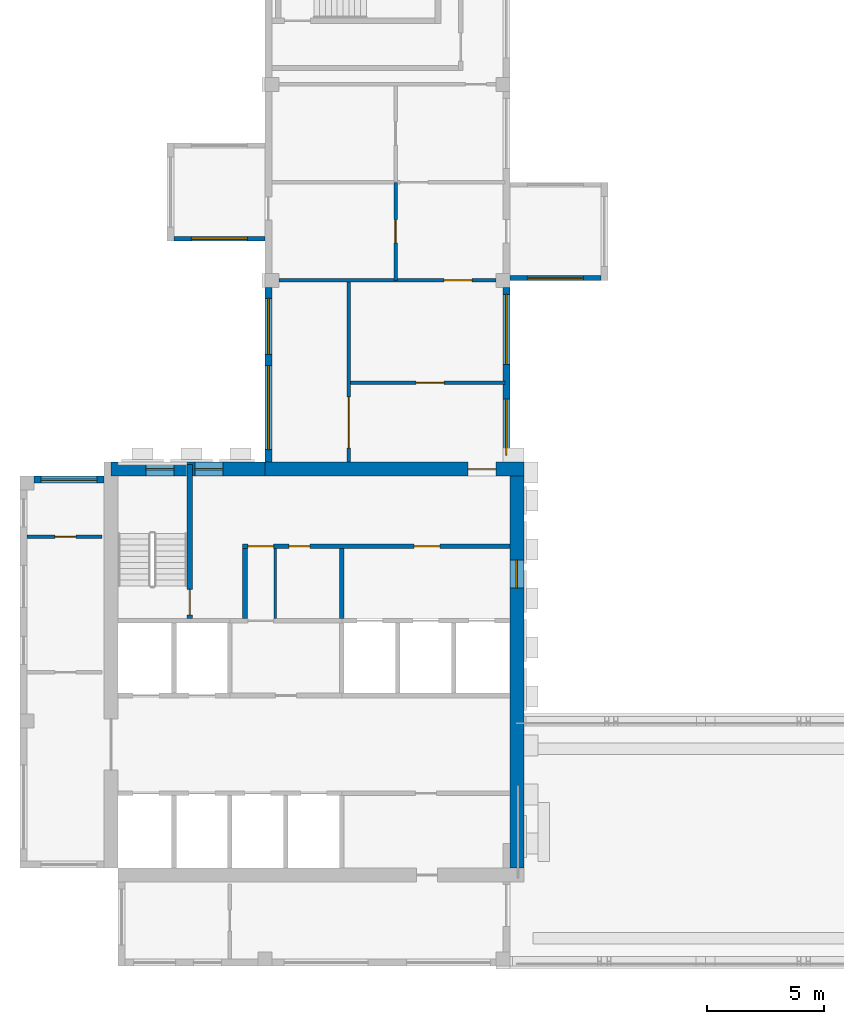
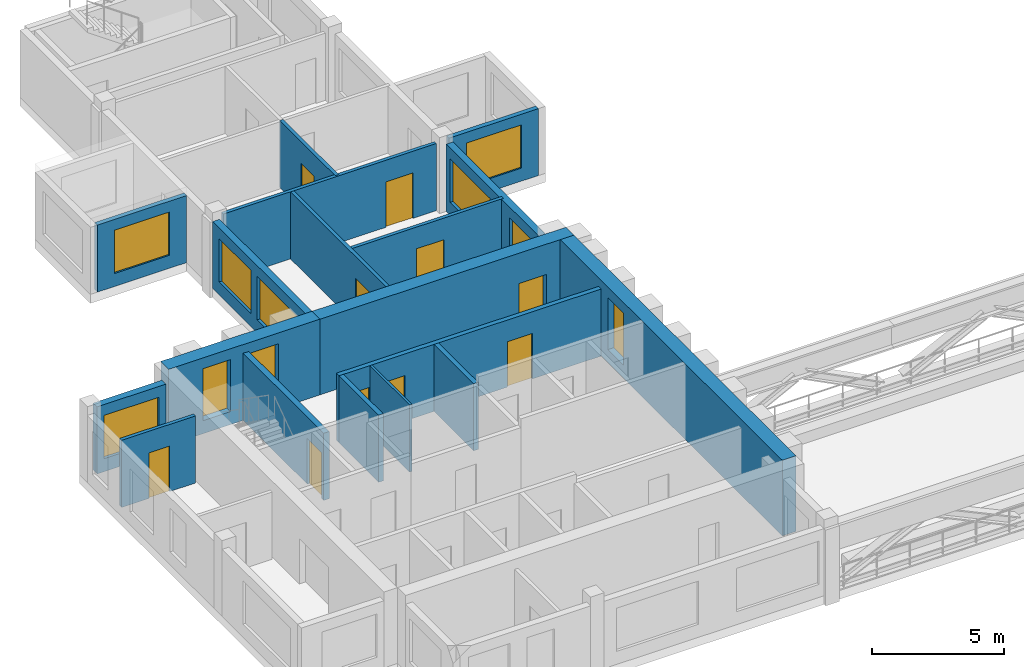
# One storey, part 3 of 9: 18 walls, 10 doors, 10 windows, 20 openings.
"""IFC4 building model written with IfcOpenShell, lengths in metres."""

import ifcopenshell
import ifcopenshell.guid

model = None  # the IFC model being written
_history = None  # IfcOwnerHistory: only IFC2X3 demands one
_inside = {}  # id of a spatial element -> (the spatial element, [elements in it])
_under = {}  # id of a project, library or spatial element -> (it, [spatial elements below it])
_declared = {}  # id of a project -> (the project, [libraries it declares])
_typed = {}  # id of a type object -> (the type object, [elements of that type])
_made_of = {}  # id of a material, layer set ... -> (it, [elements and type objects made of it])


def new_model(schema):
    """Start an empty IFC model of exactly this schema.

    Asked for "IFC4X3", IfcOpenShell would pick the latest addendum, in which some entities
    have other attributes; the version numbers below select the first issue.
    IFC2X3 requires an IfcOwnerHistory on every rooted entity: one is made here for all.
    """
    global model, _history
    if schema == "IFC4X3":
        model = ifcopenshell.file(schema_version=(4, 3, 0, 0))
    else:
        model = ifcopenshell.file(schema=schema)
    _inside.clear()
    _under.clear()
    _declared.clear()
    _typed.clear()
    _made_of.clear()
    _history = None
    if model.schema == "IFC2X3":
        org = make("IfcOrganization", Name="unknown")
        user = make(
            "IfcPersonAndOrganization",
            ThePerson=make("IfcPerson", FamilyName="unknown"),
            TheOrganization=org,
        )
        app = make(
            "IfcApplication",
            ApplicationDeveloper=org,
            Version="unknown",
            ApplicationFullName="unknown",
            ApplicationIdentifier="unknown",
        )
        _history = make(
            "IfcOwnerHistory",
            OwningUser=user,
            OwningApplication=app,
            ChangeAction="ADDED",
            CreationDate=0,
        )
    return model


def make(cls, **values):
    """One entity of the class cls with the attributes given. An attribute that is None is left unset."""
    return model.create_entity(
        cls, **{name: value for name, value in values.items() if value is not None}
    )


def rooted(cls, **values):
    """An entity with a GlobalId (a new one), such as an element, a storey or a relation."""
    return make(cls, GlobalId=ifcopenshell.guid.new(), OwnerHistory=_history, **values)


def si_unit(unit_type, name, prefix=None):
    """IfcSIUnit, for example si_unit("LENGTHUNIT", "METRE", prefix="MILLI")."""
    return make("IfcSIUnit", UnitType=unit_type, Prefix=prefix, Name=name)


def assignment(units):
    """IfcUnitAssignment: the units of a project."""
    return None if units is None else make("IfcUnitAssignment", Units=units)


def point(xyz):
    """IfcCartesianPoint."""
    return None if xyz is None else make("IfcCartesianPoint", Coordinates=xyz)


def direction(xyz):
    """IfcDirection."""
    return None if xyz is None else make("IfcDirection", DirectionRatios=xyz)


def frame(location, z_axis=None, x_axis=None):
    """IfcAxis2Placement3D, a coordinate frame: its origin and axes. An axis left out is left unset."""
    return make(
        "IfcAxis2Placement3D",
        Location=point(location),
        Axis=direction(z_axis),
        RefDirection=direction(x_axis),
    )


def frame_2d(location, x_axis=None):
    """IfcAxis2Placement2D, a coordinate frame in the plane: its origin and x axis."""
    return make(
        "IfcAxis2Placement2D", Location=point(location), RefDirection=direction(x_axis)
    )


def origin():
    """The frame at (0, 0, 0) with its axes left unset."""
    return frame((0.0, 0.0, 0.0))


def place(relative_to, where):
    """IfcLocalPlacement: puts the frame where relative to a parent placement (None: the world)."""
    return make(
        "IfcLocalPlacement", PlacementRelTo=relative_to, RelativePlacement=where
    )


def context(
    kind, dimensions, precision=None, world=None, true_north=None, identifier=None
):
    """IfcGeometricRepresentationContext, for example the 3D "Model" context."""
    return make(
        "IfcGeometricRepresentationContext",
        ContextIdentifier=identifier,
        ContextType=kind,
        CoordinateSpaceDimension=dimensions,
        Precision=precision,
        WorldCoordinateSystem=world,
        TrueNorth=true_north,
    )


def subcontext(parent, identifier, kind, view, scale=None):
    """IfcGeometricRepresentationSubContext, for example "Body" below "Model"."""
    return make(
        "IfcGeometricRepresentationSubContext",
        ContextIdentifier=identifier,
        ContextType=kind,
        ParentContext=parent,
        TargetScale=scale,
        TargetView=view,
    )


def project(units=None, contexts=None):
    """IfcProject with its units and contexts."""
    return rooted(
        "IfcProject",
        Name="project",
        RepresentationContexts=contexts,
        UnitsInContext=assignment(units),
    )


def spatial(cls, under=None, at=None, **own):
    """A site, building, storey or space (cls), placed at a placement, below another one or the project."""
    s = rooted(cls, ObjectPlacement=at, **own)
    if under is not None:
        _under.setdefault(under.id(), (under, []))[1].append(s)
    return s


def profile(cls, at=None, kind="AREA", **sizes):
    """A parametric profile (cls). Its sizes go by their IFC names, for example OverallWidth=200.0."""
    return make(cls, ProfileType=kind, Position=at, **sizes)


def rectangle(**sizes):
    """IfcRectangleProfileDef."""
    return profile("IfcRectangleProfileDef", **sizes)


def extrude(swept, where, along, depth):
    """IfcExtrudedAreaSolid: the profile swept, set in the frame where, extruded along a direction by depth."""
    return make(
        "IfcExtrudedAreaSolid",
        SweptArea=swept,
        Position=where,
        ExtrudedDirection=direction(along),
        Depth=depth,
    )


def shape(context_of_items, identifier, shape_type, items):
    """IfcShapeRepresentation: the items that make up one representation, for example the "Body"."""
    return make(
        "IfcShapeRepresentation",
        ContextOfItems=context_of_items,
        RepresentationIdentifier=identifier,
        RepresentationType=shape_type,
        Items=items,
    )


def source(mapping_origin, context_of_items, identifier, shape_type, items):
    """IfcRepresentationMap: a shape defined once, which mapped items show again and again."""
    return make(
        "IfcRepresentationMap",
        MappingOrigin=mapping_origin,
        MappedRepresentation=shape(context_of_items, identifier, shape_type, items),
    )


def transform(
    local_origin,
    x_axis=None,
    y_axis=None,
    z_axis=None,
    scale=None,
    scale2=None,
    scale3=None,
    uniform=True,
):
    """IfcCartesianTransformationOperator3D, or its non-uniform kind. x_axis, y_axis, z_axis: its Axis1, 2, 3."""
    if uniform:
        return make(
            "IfcCartesianTransformationOperator3D",
            Axis1=direction(x_axis),
            Axis2=direction(y_axis),
            LocalOrigin=point(local_origin),
            Scale=scale,
            Axis3=direction(z_axis),
        )
    return make(
        "IfcCartesianTransformationOperator3DnonUniform",
        Axis1=direction(x_axis),
        Axis2=direction(y_axis),
        LocalOrigin=point(local_origin),
        Scale=scale,
        Axis3=direction(z_axis),
        Scale2=scale2,
        Scale3=scale3,
    )


def mapped(mapping_source, mapping_target):
    """IfcMappedItem: shows the shape of a source again, moved by a transform."""
    return make(
        "IfcMappedItem", MappingSource=mapping_source, MappingTarget=mapping_target
    )


def material(Name=None, Category=None):
    """IfcMaterial."""
    return make("IfcMaterial", Name=Name, Category=Category)


def layer(
    of_material, thickness, ventilated=None, Name=None, Category=None, Priority=None
):
    """IfcMaterialLayer: one layer of a wall or slab, of a material (None: an air gap)."""
    return make(
        "IfcMaterialLayer",
        Material=of_material,
        LayerThickness=thickness,
        IsVentilated=ventilated,
        Name=Name,
        Category=Category,
        Priority=Priority,
    )


def layer_set(layers, Name=None):
    """IfcMaterialLayerSet."""
    return make("IfcMaterialLayerSet", MaterialLayers=layers, LayerSetName=Name)


def made_of(thing, what):
    """Note that an element or type object is made of a material, layer set ...; save() writes the relation."""
    if what is not None:
        _made_of.setdefault(what.id(), (what, []))[1].append(thing)
    return thing


def type_object(cls, material=None, **own):
    """A type object (cls), such as IfcWallType, which elements share."""
    return made_of(rooted(cls, **own), material)


def element(
    cls,
    number,
    at=None,
    inside=None,
    cuts=None,
    type_object=None,
    material=None,
    context=None,
    identifier="Body",
    shape_type=None,
    held_by="IfcProductDefinitionShape",
    body=None,
    shapes=None,
    **own,
):
    """One element of the class cls, such as IfcWall. Its Tag is "e" and its number.

    at: its placement. inside: the storey or other place that contains it. cuts: it is an
    opening in that element (IfcRelVoidsElement). A single representation is given by context,
    identifier, shape_type and body (its items); several are given by shapes. held_by: the class
    of the entity that holds the representations. save() writes the other relations.
    """
    e = rooted(cls, Tag="e%d" % number, ObjectPlacement=at, **own)
    if body is not None:
        shapes = [shape(context, identifier, shape_type, body)]
    if shapes is not None:
        e.Representation = make(held_by, Representations=shapes)
    if inside is not None:
        _inside.setdefault(inside.id(), (inside, []))[1].append(e)
    if cuts is not None:
        rooted(
            "IfcRelVoidsElement", RelatingBuildingElement=cuts, RelatedOpeningElement=e
        )
    if type_object is not None:
        _typed.setdefault(type_object.id(), (type_object, []))[1].append(e)
    return made_of(e, material)


def fill(opening, filler):
    """IfcRelFillsElement: the door or window that sits in an opening."""
    return rooted(
        "IfcRelFillsElement",
        RelatingOpeningElement=opening,
        RelatedBuildingElement=filler,
    )


def aggregate(whole, parts):
    """IfcRelAggregates: a whole, such as a stair, and the parts it consists of."""
    return rooted("IfcRelAggregates", RelatingObject=whole, RelatedObjects=parts)


def save(model, path):
    """Write the relations noted so far, then the file.

    IfcRelAggregates (storeys below a building ...), IfcRelContainedInSpatialStructure (elements
    in a storey), IfcRelDefinesByType, IfcRelAssociatesMaterial and IfcRelDeclares: one each for
    every whole, place, type object, material and project.
    """
    for whole, parts in _under.values():
        aggregate(whole, parts)
    for where, things in _inside.values():
        rooted(
            "IfcRelContainedInSpatialStructure",
            RelatedElements=things,
            RelatingStructure=where,
        )
    for kind, things in _typed.values():
        rooted("IfcRelDefinesByType", RelatedObjects=things, RelatingType=kind)
    for what, things in _made_of.values():
        rooted("IfcRelAssociatesMaterial", RelatedObjects=things, RelatingMaterial=what)
    for by, libraries in _declared.values():
        rooted("IfcRelDeclares", RelatingContext=by, RelatedDefinitions=libraries)
    model.write(path)


model = new_model("IFC4")

# Units and contexts
model_context = context("Model", 3, precision=1e-05, world=origin(), true_north=direction((0.0, 1.0)))
body_context = subcontext(model_context, "Body", "Model", "MODEL_VIEW")
ifc_project = project(units=[si_unit("LENGTHUNIT", "METRE"), si_unit("AREAUNIT", "SQUARE_METRE"), si_unit("VOLUMEUNIT", "CUBIC_METRE"), si_unit("PLANEANGLEUNIT", "RADIAN"), si_unit("MASSUNIT", "GRAM", prefix="KILO")], contexts=[model_context])

# Site, building, storey
site_placement = place(None, origin())
site = spatial("IfcSite", under=ifc_project, at=site_placement, CompositionType="ELEMENT")
building_placement = place(site_placement, origin())
building = spatial("IfcBuilding", under=site, at=building_placement, Name="Aurelian Terraces", CompositionType="ELEMENT")
storey_placement = place(building_placement, frame((0.0, 0.0, 351.0)))
storey = spatial("IfcBuildingStorey", under=building, at=storey_placement, Name="L83", CompositionType="ELEMENT", Elevation=351.0)

# Wall, opening, door
ifc_material_1 = material(Name="Concrete fc' 55 MPa", Category="concrete")
ifc_layer_1 = layer(ifc_material_1, 0.6)
ifc_layer_set_1 = layer_set([ifc_layer_1], Name="CORE WALL 600 FC55")
wall_type_1 = type_object("IfcWallType", Name="CORE WALL 600 FC55", PredefinedType="SHEAR", material=ifc_layer_set_1)
shared_shape_1 = source(origin(), body_context, "Body", "SweptSolid", [
    extrude(rectangle(XDim=11.1, YDim=0.6, at=frame_2d((5.55, 0.0))), origin(), (0.0, 0.0, 1.0), 3.5),
])
wall_1_placement = place(storey_placement, frame((10.5, 21.3, 0.0), z_axis=(0.0, 0.0, 1.0), x_axis=(1.0, 0.0, 0.0)))
wall_1 = element("IfcWall", 1, at=wall_1_placement, inside=storey, type_object=wall_type_1, Name="Core wall N L83", PredefinedType="SHEAR", context=body_context, shape_type="MappedRepresentation", body=[
    mapped(shared_shape_1, transform((0.0, 0.0, 0.0), scale=1.0)),
])
shared_shape_2 = source(origin(), body_context, "Body", "SweptSolid", [
    extrude(rectangle(XDim=1.2, YDim=2.1, at=frame_2d((0.6, 1.05))), frame((0.0, 0.31, 0.0), z_axis=(0.0, -1.0, 0.0), x_axis=(1.0, 0.0, 0.0)), (0.0, 0.0, 1.0), 0.62),
])
opening_1_placement = place(wall_1_placement, frame((8.7, 0.0, 0.0)))
opening_1 = element("IfcOpeningElement", 2, at=opening_1_placement, cuts=wall_1, Name="Opening 68621", PredefinedType="OPENING", context=body_context, shape_type="MappedRepresentation", body=[
    mapped(shared_shape_2, transform((0.0, 0.0, 0.0), scale=1.0)),
])
ifc_material_2 = material(Name="Steel door leaf", Category="steel")
door_type_1 = type_object("IfcDoorType", Name="Core fire door 1200x2100 right", OperationType="SINGLE_SWING_RIGHT", PredefinedType="DOOR", material=ifc_material_2)
shared_shape_3 = source(origin(), body_context, "Body", "SweptSolid", [
    extrude(rectangle(XDim=1.2, YDim=2.1, at=frame_2d((0.6, 1.05))), frame((0.0, 0.025, 0.0), z_axis=(0.0, -1.0, 0.0), x_axis=(1.0, 0.0, 0.0)), (0.0, 0.0, 1.0), 0.05),
])
door_1_placement = place(opening_1_placement, origin())
door_1 = element("IfcDoor", 3, at=door_1_placement, inside=storey, type_object=door_type_1, Name="Core door 68621", OperationType="SINGLE_SWING_RIGHT", OverallHeight=2.1, OverallWidth=1.2, PredefinedType="DOOR", context=body_context, shape_type="MappedRepresentation", body=[
    mapped(shared_shape_3, transform((0.0, 0.0, 0.0), scale=1.0)),
])
fill(opening_1, door_1)

# Wall, openings, windows
shared_shape_4 = source(origin(), body_context, "Body", "SweptSolid", [
    extrude(rectangle(XDim=6.6, YDim=0.6, at=frame_2d((3.3, 0.0))), origin(), (0.0, 0.0, 1.0), 3.5),
])
wall_2_placement = place(storey_placement, frame((3.9, 21.3, 0.0), z_axis=(0.0, 0.0, 1.0), x_axis=(1.0, 0.0, 0.0)))
wall_2 = element("IfcWall", 4, at=wall_2_placement, inside=storey, type_object=wall_type_1, Name="Core wall N L83 exposed", PredefinedType="SHEAR", context=body_context, shape_type="MappedRepresentation", body=[
    mapped(shared_shape_4, transform((0.0, 0.0, 0.0), scale=1.0)),
])
shared_shape_5 = source(origin(), body_context, "Body", "SweptSolid", [
    extrude(rectangle(XDim=1.2, YDim=2.4, at=frame_2d((0.6, 1.2))), frame((0.0, 0.31, 0.0), z_axis=(0.0, -1.0, 0.0), x_axis=(1.0, 0.0, 0.0)), (0.0, 0.0, 1.0), 0.62),
])
opening_2_placement = place(wall_2_placement, frame((1.5, 0.0, 0.6)))
opening_2 = element("IfcOpeningElement", 5, at=opening_2_placement, cuts=wall_2, Name="Opening W-CL", PredefinedType="OPENING", context=body_context, shape_type="MappedRepresentation", body=[
    mapped(shared_shape_5, transform((0.0, 0.0, 0.0), scale=1.0)),
])
opening_3_placement = place(wall_2_placement, frame((3.6, 0.0, 0.6)))
opening_3 = element("IfcOpeningElement", 6, at=opening_3_placement, cuts=wall_2, Name="Opening W-CL", PredefinedType="OPENING", context=body_context, shape_type="MappedRepresentation", body=[
    mapped(shared_shape_5, transform((0.0, 0.0, 0.0), scale=1.0)),
])
ifc_material_3 = material(Name="Fire-resisting glazing", Category="glass")
window_type_1 = type_object("IfcWindowType", Name="Core lobby window 1200x2400", PartitioningType="SINGLE_PANEL", PredefinedType="WINDOW", material=ifc_material_3)
shared_shape_6 = source(origin(), body_context, "Body", "SweptSolid", [
    extrude(rectangle(XDim=1.2, YDim=2.4, at=frame_2d((0.6, 1.2))), frame((0.0, 0.03, 0.0), z_axis=(0.0, -1.0, 0.0), x_axis=(1.0, 0.0, 0.0)), (0.0, 0.0, 1.0), 0.06),
])
window_1_placement = place(opening_2_placement, origin())
window_1 = element("IfcWindow", 7, at=window_1_placement, inside=storey, type_object=window_type_1, Name="Lobby window L83 N59", OverallHeight=2.4, OverallWidth=1.2, PartitioningType="SINGLE_PANEL", PredefinedType="WINDOW", context=body_context, shape_type="MappedRepresentation", body=[
    mapped(shared_shape_6, transform((0.0, 0.0, 0.0), scale=1.0)),
])
fill(opening_2, window_1)
window_2_placement = place(opening_3_placement, origin())
window_2 = element("IfcWindow", 8, at=window_2_placement, inside=storey, type_object=window_type_1, Name="Lobby window L83 N60", OverallHeight=2.4, OverallWidth=1.2, PartitioningType="SINGLE_PANEL", PredefinedType="WINDOW", context=body_context, shape_type="MappedRepresentation", body=[
    mapped(shared_shape_6, transform((0.0, 0.0, 0.0), scale=1.0)),
])
fill(opening_3, window_2)

# Wall, opening, window
shared_shape_7 = source(origin(), body_context, "Body", "SweptSolid", [
    extrude(rectangle(XDim=16.8, YDim=0.6, at=frame_2d((8.4, 0.0))), origin(), (0.0, 0.0, 1.0), 3.5),
])
wall_3_placement = place(storey_placement, frame((21.3, 4.2, 0.0), z_axis=(0.0, 0.0, 1.0), x_axis=(0.0, 1.0, 0.0)))
wall_3 = element("IfcWall", 9, at=wall_3_placement, inside=storey, type_object=wall_type_1, Name="Core wall E L83 exposed", PredefinedType="SHEAR", context=body_context, shape_type="MappedRepresentation", body=[
    mapped(shared_shape_7, transform((0.0, 0.0, 0.0), scale=1.0)),
])
opening_4_placement = place(wall_3_placement, frame((12.0, 0.0, 0.6)))
opening_4 = element("IfcOpeningElement", 10, at=opening_4_placement, cuts=wall_3, Name="Opening W-CL", PredefinedType="OPENING", context=body_context, shape_type="MappedRepresentation", body=[
    mapped(shared_shape_5, transform((0.0, 0.0, 0.0), scale=1.0)),
])
window_3_placement = place(opening_4_placement, origin())
window_3 = element("IfcWindow", 11, at=window_3_placement, inside=storey, type_object=window_type_1, Name="Lobby window L83 E58", OverallHeight=2.4, OverallWidth=1.2, PartitioningType="SINGLE_PANEL", PredefinedType="WINDOW", context=body_context, shape_type="MappedRepresentation", body=[
    mapped(shared_shape_6, transform((0.0, 0.0, 0.0), scale=1.0)),
])
fill(opening_4, window_3)

ifc_material_4 = material(Name="Concrete fc' 40 MPa", Category="concrete")
ifc_layer_2 = layer(ifc_material_4, 0.2)
ifc_layer_set_2 = layer_set([ifc_layer_2], Name="BOX BEARING WALL 200")
wall_type_2 = type_object("IfcWallType", Name="BOX BEARING WALL 200", PredefinedType="SOLIDWALL", material=ifc_layer_set_2)
shared_shape_8 = source(origin(), body_context, "Body", "SweptSolid", [
    extrude(rectangle(XDim=3.9, YDim=0.2, at=frame_2d((1.95, 0.0))), origin(), (0.0, 0.0, 1.0), 3.09),
])
wall_4_placement = place(storey_placement, frame((21.0, 29.5, 0.0), z_axis=(0.0, 0.0, 1.0), x_axis=(1.0, 0.0, 0.0)))
wall_4 = element("IfcWall", 12, at=wall_4_placement, inside=storey, type_object=wall_type_2, Name="Box return L83 J96.1", PredefinedType="SOLIDWALL", context=body_context, shape_type="MappedRepresentation", body=[
    mapped(shared_shape_8, transform((0.0, 0.0, 0.0), scale=1.0)),
])
shared_shape_9 = source(origin(), body_context, "Body", "SweptSolid", [
    extrude(rectangle(XDim=2.4, YDim=2.0, at=frame_2d((1.2, 1.0))), frame((0.0, 0.11, 0.0), z_axis=(0.0, -1.0, 0.0), x_axis=(1.0, 0.0, 0.0)), (0.0, 0.0, 1.0), 0.22),
])
opening_5_placement = place(wall_4_placement, frame((0.75, 0.0, 0.6)))
opening_5 = element("IfcOpeningElement", 13, at=opening_5_placement, cuts=wall_4, Name="Opening W2420", PredefinedType="OPENING", context=body_context, shape_type="MappedRepresentation", body=[
    mapped(shared_shape_9, transform((0.0, 0.0, 0.0), scale=1.0)),
])
ifc_material_5 = material(Name="Clear glazing", Category="glass")
window_type_2 = type_object("IfcWindowType", Name="W-2400x2000", PartitioningType="SINGLE_PANEL", PredefinedType="WINDOW", material=ifc_material_5)
shared_shape_10 = source(origin(), body_context, "Body", "SweptSolid", [
    extrude(rectangle(XDim=2.4, YDim=2.0, at=frame_2d((1.2, 1.0))), frame((0.0, 0.03, 0.0), z_axis=(0.0, -1.0, 0.0), x_axis=(1.0, 0.0, 0.0)), (0.0, 0.0, 1.0), 0.06),
])
window_4_placement = place(opening_5_placement, origin())
window_4 = element("IfcWindow", 14, at=window_4_placement, inside=storey, type_object=window_type_2, Name="Window L83 J96-S1", OverallHeight=2.0, OverallWidth=2.4, PartitioningType="SINGLE_PANEL", PredefinedType="WINDOW", context=body_context, shape_type="MappedRepresentation", body=[
    mapped(shared_shape_10, transform((0.0, 0.0, 0.0), scale=1.0)),
])
fill(opening_5, window_4)

shared_shape_11 = source(origin(), body_context, "Body", "SweptSolid", [
    extrude(rectangle(XDim=3.9, YDim=0.2, at=frame_2d((1.95, 0.0))), origin(), (0.0, 0.0, 1.0), 3.1),
])
wall_5_placement = place(storey_placement, frame((10.5, 31.18, 0.0), z_axis=(0.0, 0.0, 1.0), x_axis=(-1.0, 0.0, 0.0)))
wall_5 = element("IfcWall", 15, at=wall_5_placement, inside=storey, type_object=wall_type_2, Name="Box return L83 J95.2", PredefinedType="SOLIDWALL", context=body_context, shape_type="MappedRepresentation", body=[
    mapped(shared_shape_11, transform((0.0, 0.0, 0.0), scale=1.0)),
])
opening_6_placement = place(wall_5_placement, frame((0.75, 0.0, 0.6)))
opening_6 = element("IfcOpeningElement", 16, at=opening_6_placement, cuts=wall_5, Name="Opening W2420", PredefinedType="OPENING", context=body_context, shape_type="MappedRepresentation", body=[
    mapped(shared_shape_9, transform((0.0, 0.0, 0.0), scale=1.0)),
])
window_5_placement = place(opening_6_placement, origin())
window_5 = element("IfcWindow", 17, at=window_5_placement, inside=storey, type_object=window_type_2, Name="Window L83 J95-S2", OverallHeight=2.0, OverallWidth=2.4, PartitioningType="SINGLE_PANEL", PredefinedType="WINDOW", context=body_context, shape_type="MappedRepresentation", body=[
    mapped(shared_shape_10, transform((0.0, 0.0, 0.0), scale=1.0)),
])
fill(opening_6, window_5)

# Wall, openings, windows
ifc_material_6 = material(Name="Terracotta rainscreen cladding", Category="masonry")
ifc_layer_3 = layer(ifc_material_6, 0.3)
ifc_layer_set_3 = layer_set([ifc_layer_3], Name="EW-300")
wall_type_3 = type_object("IfcWallType", Name="EW-300", PredefinedType="STANDARD", material=ifc_layer_set_3)
shared_shape_12 = source(origin(), body_context, "Body", "SweptSolid", [
    extrude(rectangle(XDim=7.5, YDim=0.3, at=frame_2d((3.75, 0.0))), origin(), (0.0, 0.0, 1.0), 3.1),
])
wall_6_placement = place(storey_placement, frame((20.85, 21.6, 0.0), z_axis=(0.0, 0.0, 1.0), x_axis=(0.0, 1.0, 0.0)))
wall_6 = element("IfcWall", 18, at=wall_6_placement, inside=storey, type_object=wall_type_3, Name="External wall L83 F02.6", PredefinedType="STANDARD", context=body_context, shape_type="MappedRepresentation", body=[
    mapped(shared_shape_12, transform((0.0, 0.0, 0.0), scale=1.0)),
])
shared_shape_13 = source(origin(), body_context, "Body", "SweptSolid", [
    extrude(rectangle(XDim=2.4, YDim=2.0, at=frame_2d((1.2, 1.0))), frame((0.0, 0.16, 0.0), z_axis=(0.0, -1.0, 0.0), x_axis=(1.0, 0.0, 0.0)), (0.0, 0.0, 1.0), 0.32),
])
opening_7_placement = place(wall_6_placement, frame((0.3, 0.0, 0.6)))
opening_7 = element("IfcOpeningElement", 19, at=opening_7_placement, cuts=wall_6, Name="Opening W2420", PredefinedType="OPENING", context=body_context, shape_type="MappedRepresentation", body=[
    mapped(shared_shape_13, transform((0.0, 0.0, 0.0), scale=1.0)),
])
shared_shape_14 = source(origin(), body_context, "Body", "SweptSolid", [
    extrude(rectangle(XDim=3.0, YDim=2.0, at=frame_2d((1.5, 1.0))), frame((0.0, 0.16, 0.0), z_axis=(0.0, -1.0, 0.0), x_axis=(1.0, 0.0, 0.0)), (0.0, 0.0, 1.0), 0.32),
])
opening_8_placement = place(wall_6_placement, frame((4.2, 0.0, 0.6)))
opening_8 = element("IfcOpeningElement", 20, at=opening_8_placement, cuts=wall_6, Name="Opening W3020", PredefinedType="OPENING", context=body_context, shape_type="MappedRepresentation", body=[
    mapped(shared_shape_14, transform((0.0, 0.0, 0.0), scale=1.0)),
])
window_type_3 = type_object("IfcWindowType", Name="W-3000x2000", PartitioningType="SINGLE_PANEL", PredefinedType="WINDOW", material=ifc_material_5)
shared_shape_15 = source(origin(), body_context, "Body", "SweptSolid", [
    extrude(rectangle(XDim=3.0, YDim=2.0, at=frame_2d((1.5, 1.0))), frame((0.0, 0.03, 0.0), z_axis=(0.0, -1.0, 0.0), x_axis=(1.0, 0.0, 0.0)), (0.0, 0.0, 1.0), 0.06),
])
window_6_placement = place(opening_8_placement, origin())
window_6 = element("IfcWindow", 21, at=window_6_placement, inside=storey, type_object=window_type_3, Name="Window L83 L83-F02-06-1", OverallHeight=2.0, OverallWidth=3.0, PartitioningType="SINGLE_PANEL", PredefinedType="WINDOW", context=body_context, shape_type="MappedRepresentation", body=[
    mapped(shared_shape_15, transform((0.0, 0.0, 0.0), scale=1.0)),
])
fill(opening_8, window_6)
window_7_placement = place(opening_7_placement, origin())
window_7 = element("IfcWindow", 22, at=window_7_placement, inside=storey, type_object=window_type_2, Name="Window L83 L83-F02-06-0", OverallHeight=2.0, OverallWidth=2.4, PartitioningType="SINGLE_PANEL", PredefinedType="WINDOW", context=body_context, shape_type="MappedRepresentation", body=[
    mapped(shared_shape_10, transform((0.0, 0.0, 0.0), scale=1.0)),
])
fill(opening_7, window_7)

wall_7_placement = place(storey_placement, frame((10.65, 29.1, 0.0), z_axis=(0.0, 0.0, 1.0), x_axis=(0.0, -1.0, 0.0)))
wall_7 = element("IfcWall", 23, at=wall_7_placement, inside=storey, type_object=wall_type_3, Name="External wall L83 F04.10", PredefinedType="STANDARD", context=body_context, shape_type="MappedRepresentation", body=[
    mapped(shared_shape_12, transform((0.0, 0.0, 0.0), scale=1.0)),
])
shared_shape_16 = source(origin(), body_context, "Body", "SweptSolid", [
    extrude(rectangle(XDim=3.6, YDim=2.0, at=frame_2d((1.8, 1.0))), frame((0.0, 0.16, 0.0), z_axis=(0.0, -1.0, 0.0), x_axis=(1.0, 0.0, 0.0)), (0.0, 0.0, 1.0), 0.32),
])
opening_9_placement = place(wall_7_placement, frame((3.36, 0.0, 0.6)))
opening_9 = element("IfcOpeningElement", 24, at=opening_9_placement, cuts=wall_7, Name="Opening W3620", PredefinedType="OPENING", context=body_context, shape_type="MappedRepresentation", body=[
    mapped(shared_shape_16, transform((0.0, 0.0, 0.0), scale=1.0)),
])
opening_10_placement = place(wall_7_placement, frame((0.48, 0.0, 0.6)))
opening_10 = element("IfcOpeningElement", 25, at=opening_10_placement, cuts=wall_7, Name="Opening W2420", PredefinedType="OPENING", context=body_context, shape_type="MappedRepresentation", body=[
    mapped(shared_shape_13, transform((0.0, 0.0, 0.0), scale=1.0)),
])
window_8_placement = place(opening_10_placement, origin())
window_8 = element("IfcWindow", 26, at=window_8_placement, inside=storey, type_object=window_type_2, Name="Window L83 L83-F04-10-G2-146", OverallHeight=2.0, OverallWidth=2.4, PartitioningType="SINGLE_PANEL", PredefinedType="WINDOW", context=body_context, shape_type="MappedRepresentation", body=[
    mapped(shared_shape_10, transform((0.0, 0.0, 0.0), scale=1.0)),
])
fill(opening_10, window_8)
window_type_4 = type_object("IfcWindowType", Name="W-3600x2000", PartitioningType="SINGLE_PANEL", PredefinedType="WINDOW", material=ifc_material_5)
shared_shape_17 = source(origin(), body_context, "Body", "SweptSolid", [
    extrude(rectangle(XDim=3.6, YDim=2.0, at=frame_2d((1.8, 1.0))), frame((0.0, 0.03, 0.0), z_axis=(0.0, -1.0, 0.0), x_axis=(1.0, 0.0, 0.0)), (0.0, 0.0, 1.0), 0.06),
])
window_9_placement = place(opening_9_placement, origin())
window_9 = element("IfcWindow", 27, at=window_9_placement, inside=storey, type_object=window_type_4, Name="Window L83 L83-F04-10-4", OverallHeight=2.0, OverallWidth=3.6, PartitioningType="SINGLE_PANEL", PredefinedType="WINDOW", context=body_context, shape_type="MappedRepresentation", body=[
    mapped(shared_shape_17, transform((0.0, 0.0, 0.0), scale=1.0)),
])
fill(opening_9, window_9)

# Wall, opening, window
shared_shape_18 = source(origin(), body_context, "Body", "SweptSolid", [
    extrude(rectangle(XDim=3.0, YDim=0.3, at=frame_2d((1.5, 0.0))), origin(), (0.0, 0.0, 1.0), 3.1),
])
wall_8_placement = place(storey_placement, frame((3.6, 20.85, 0.0), z_axis=(0.0, 0.0, 1.0), x_axis=(-1.0, 0.0, 0.0)))
wall_8 = element("IfcWall", 28, at=wall_8_placement, inside=storey, type_object=wall_type_3, Name="External wall L83 F09.15", PredefinedType="STANDARD", context=body_context, shape_type="MappedRepresentation", body=[
    mapped(shared_shape_18, transform((0.0, 0.0, 0.0), scale=1.0)),
])
opening_11_placement = place(wall_8_placement, frame((0.3, 0.0, 0.6)))
opening_11 = element("IfcOpeningElement", 29, at=opening_11_placement, cuts=wall_8, Name="Opening W2420", PredefinedType="OPENING", context=body_context, shape_type="MappedRepresentation", body=[
    mapped(shared_shape_13, transform((0.0, 0.0, 0.0), scale=1.0)),
])
window_10_placement = place(opening_11_placement, origin())
window_10 = element("IfcWindow", 30, at=window_10_placement, inside=storey, type_object=window_type_2, Name="Window L83 L83-F09-15-0", OverallHeight=2.0, OverallWidth=2.4, PartitioningType="SINGLE_PANEL", PredefinedType="WINDOW", context=body_context, shape_type="MappedRepresentation", body=[
    mapped(shared_shape_10, transform((0.0, 0.0, 0.0), scale=1.0)),
])
fill(opening_11, window_10)

# Walls
ifc_material_7 = material(Name="Gypsum board on steel studs", Category="steel")
ifc_layer_4 = layer(ifc_material_7, 0.2)
ifc_layer_set_4 = layer_set([ifc_layer_4], Name="Core partition 200")
wall_type_4 = type_object("IfcWallType", Name="Core partition 200", PredefinedType="PARTITIONING", material=ifc_layer_set_4)
shared_shape_19 = source(origin(), body_context, "Body", "SweptSolid", [
    extrude(rectangle(XDim=3.0, YDim=0.2, at=frame_2d((1.5, 0.0))), origin(), (0.0, 0.0, 1.0), 3.1),
])
for number, where, z_axis, x_axis, name in (
    (31, (9.65, 14.9, 0.0), (0.0, 0.0, 1.0), (0.0, 1.0, 0.0), "L83 core wall CP-VEST"),
    (32, (13.8, 14.9, 0.0), (0.0, 0.0, 1.0), (0.0, 1.0, 0.0), "L83 core wall CP-FFL"),
):
    element("IfcWall", number, at=place(storey_placement, frame(where, z_axis=z_axis, x_axis=x_axis)), inside=storey, type_object=wall_type_4, Name=name, PredefinedType="PARTITIONING", context=body_context, shape_type="MappedRepresentation", body=[
        mapped(shared_shape_19, transform((0.0, 0.0, 0.0), scale=1.0)),
    ])

# Wall, opening, door
ifc_layer_5 = layer(ifc_material_4, 0.25)
ifc_layer_set_5 = layer_set([ifc_layer_5], Name="Stair enclosure wall 250")
wall_type_5 = type_object("IfcWallType", Name="Stair enclosure wall 250", PredefinedType="SOLIDWALL", material=ifc_layer_set_5)
shared_shape_20 = source(origin(), body_context, "Body", "SweptSolid", [
    extrude(rectangle(XDim=6.6, YDim=0.25, at=frame_2d((3.3, 0.0))), origin(), (0.0, 0.0, 1.0), 3.1),
])
wall_9_placement = place(storey_placement, frame((7.275, 14.9, 0.0), z_axis=(0.0, 0.0, 1.0), x_axis=(0.0, 1.0, 0.0)))
wall_9 = element("IfcWall", 33, at=wall_9_placement, inside=storey, type_object=wall_type_5, Name="L83 core wall ST-S1-E", PredefinedType="SOLIDWALL", context=body_context, shape_type="MappedRepresentation", body=[
    mapped(shared_shape_20, transform((0.0, 0.0, 0.0), scale=1.0)),
])
shared_shape_21 = source(origin(), body_context, "Body", "SweptSolid", [
    extrude(rectangle(XDim=1.1, YDim=2.1, at=frame_2d((0.55, 1.05))), frame((0.0, 0.135, 0.0), z_axis=(0.0, -1.0, 0.0), x_axis=(1.0, 0.0, 0.0)), (0.0, 0.0, 1.0), 0.27),
])
opening_12_placement = place(wall_9_placement, frame((0.15, 0.0, 0.0)))
opening_12 = element("IfcOpeningElement", 34, at=opening_12_placement, cuts=wall_9, Name="Opening 68612", PredefinedType="OPENING", context=body_context, shape_type="MappedRepresentation", body=[
    mapped(shared_shape_21, transform((0.0, 0.0, 0.0), scale=1.0)),
])
door_type_2 = type_object("IfcDoorType", Name="Core fire door 1100x2100", OperationType="SINGLE_SWING_LEFT", PredefinedType="DOOR", material=ifc_material_2)
shared_shape_22 = source(origin(), body_context, "Body", "SweptSolid", [
    extrude(rectangle(XDim=1.1, YDim=2.1, at=frame_2d((0.55, 1.05))), frame((0.0, 0.025, 0.0), z_axis=(0.0, -1.0, 0.0), x_axis=(1.0, 0.0, 0.0)), (0.0, 0.0, 1.0), 0.05),
])
door_2_placement = place(opening_12_placement, origin())
door_2 = element("IfcDoor", 35, at=door_2_placement, inside=storey, type_object=door_type_2, Name="Stair door 68612", OperationType="SINGLE_SWING_LEFT", OverallHeight=2.1, OverallWidth=1.1, PredefinedType="DOOR", context=body_context, shape_type="MappedRepresentation", body=[
    mapped(shared_shape_22, transform((0.0, 0.0, 0.0), scale=1.0)),
])
fill(opening_12, door_2)

# Wall, openings, doors
shared_shape_23 = source(origin(), body_context, "Body", "SweptSolid", [
    extrude(rectangle(XDim=11.45, YDim=0.2, at=frame_2d((5.725, 0.0))), origin(), (0.0, 0.0, 1.0), 3.1),
])
wall_10_placement = place(storey_placement, frame((9.55, 18.0, 0.0), z_axis=(0.0, 0.0, 1.0), x_axis=(1.0, 0.0, 0.0)))
wall_10 = element("IfcWall", 36, at=wall_10_placement, inside=storey, type_object=wall_type_4, Name="L83 core wall CP-NORTH", PredefinedType="PARTITIONING", context=body_context, shape_type="MappedRepresentation", body=[
    mapped(shared_shape_23, transform((0.0, 0.0, 0.0), scale=1.0)),
])
shared_shape_24 = source(origin(), body_context, "Body", "SweptSolid", [
    extrude(rectangle(XDim=1.1, YDim=2.1, at=frame_2d((0.55, 1.05))), frame((0.0, 0.11, 0.0), z_axis=(0.0, -1.0, 0.0), x_axis=(1.0, 0.0, 0.0)), (0.0, 0.0, 1.0), 0.22),
])
opening_13_placement = place(wall_10_placement, frame((0.225, 0.0, 0.0)))
opening_13 = element("IfcOpeningElement", 37, at=opening_13_placement, cuts=wall_10, Name="Opening 68613", PredefinedType="OPENING", context=body_context, shape_type="MappedRepresentation", body=[
    mapped(shared_shape_24, transform((0.0, 0.0, 0.0), scale=1.0)),
])
shared_shape_25 = source(origin(), body_context, "Body", "SweptSolid", [
    extrude(rectangle(XDim=0.9, YDim=2.1, at=frame_2d((0.45, 1.05))), frame((0.0, 0.11, 0.0), z_axis=(0.0, -1.0, 0.0), x_axis=(1.0, 0.0, 0.0)), (0.0, 0.0, 1.0), 0.22),
])
opening_14_placement = place(wall_10_placement, frame((1.975, 0.0, 0.0)))
opening_14 = element("IfcOpeningElement", 38, at=opening_14_placement, cuts=wall_10, Name="Opening 68614", PredefinedType="OPENING", context=body_context, shape_type="MappedRepresentation", body=[
    mapped(shared_shape_25, transform((0.0, 0.0, 0.0), scale=1.0)),
])
opening_15_placement = place(wall_10_placement, frame((7.35, 0.0, 0.0)))
opening_15 = element("IfcOpeningElement", 39, at=opening_15_placement, cuts=wall_10, Name="Opening 68615", PredefinedType="OPENING", context=body_context, shape_type="MappedRepresentation", body=[
    mapped(shared_shape_24, transform((0.0, 0.0, 0.0), scale=1.0)),
])
door_type_3 = type_object("IfcDoorType", Name="Core service door 900x2100", OperationType="SINGLE_SWING_LEFT", PredefinedType="DOOR", material=ifc_material_2)
shared_shape_26 = source(origin(), body_context, "Body", "SweptSolid", [
    extrude(rectangle(XDim=0.9, YDim=2.1, at=frame_2d((0.45, 1.05))), frame((0.0, 0.025, 0.0), z_axis=(0.0, -1.0, 0.0), x_axis=(1.0, 0.0, 0.0)), (0.0, 0.0, 1.0), 0.05),
])
door_3_placement = place(opening_14_placement, origin())
door_3 = element("IfcDoor", 40, at=door_3_placement, inside=storey, type_object=door_type_3, Name="Room door 68614", OperationType="SINGLE_SWING_LEFT", OverallHeight=2.1, OverallWidth=0.9, PredefinedType="DOOR", context=body_context, shape_type="MappedRepresentation", body=[
    mapped(shared_shape_26, transform((0.0, 0.0, 0.0), scale=1.0)),
])
fill(opening_14, door_3)
door_type_4 = type_object("IfcDoorType", Name="Core service door 1100x2100 right", OperationType="SINGLE_SWING_RIGHT", PredefinedType="DOOR", material=ifc_material_2)
door_4_placement = place(opening_13_placement, origin())
door_4 = element("IfcDoor", 41, at=door_4_placement, inside=storey, type_object=door_type_4, Name="Room door 68613", OperationType="SINGLE_SWING_RIGHT", OverallHeight=2.1, OverallWidth=1.1, PredefinedType="DOOR", context=body_context, shape_type="MappedRepresentation", body=[
    mapped(shared_shape_22, transform((0.0, 0.0, 0.0), scale=1.0)),
])
fill(opening_13, door_4)
door_type_5 = type_object("IfcDoorType", Name="Core fire door 1100x2100 right", OperationType="SINGLE_SWING_RIGHT", PredefinedType="DOOR", material=ifc_material_2)
door_5_placement = place(opening_15_placement, origin())
door_5 = element("IfcDoor", 42, at=door_5_placement, inside=storey, type_object=door_type_5, Name="Ff lobby door 68615", OperationType="SINGLE_SWING_RIGHT", OverallHeight=2.1, OverallWidth=1.1, PredefinedType="DOOR", context=body_context, shape_type="MappedRepresentation", body=[
    mapped(shared_shape_22, transform((0.0, 0.0, 0.0), scale=1.0)),
])
fill(opening_15, door_5)

# Wall
ifc_layer_6 = layer(ifc_material_7, 0.1)
ifc_layer_set_6 = layer_set([ifc_layer_6], Name="Core partition 100")
wall_type_6 = type_object("IfcWallType", Name="Core partition 100", PredefinedType="PARTITIONING", material=ifc_layer_set_6)
shared_shape_27 = source(origin(), body_context, "Body", "SweptSolid", [
    extrude(rectangle(XDim=3.0, YDim=0.1, at=frame_2d((1.5, 0.0))), origin(), (0.0, 0.0, 1.0), 3.1),
])
wall_11_placement = place(storey_placement, frame((10.95, 14.9, 0.0), z_axis=(0.0, 0.0, 1.0), x_axis=(0.0, 1.0, 0.0)))
element("IfcWall", 43, at=wall_11_placement, inside=storey, type_object=wall_type_6, Name="L83 core wall CP-SV1", PredefinedType="PARTITIONING", context=body_context, shape_type="MappedRepresentation", body=[
    mapped(shared_shape_27, transform((0.0, 0.0, 0.0), scale=1.0)),
])

# Wall, opening, door
ifc_layer_7 = layer(ifc_material_7, 0.15)
ifc_layer_set_7 = layer_set([ifc_layer_7], Name="Partition 150")
wall_type_7 = type_object("IfcWallType", Name="Partition 150", PredefinedType="PARTITIONING", material=ifc_layer_set_7)
shared_shape_28 = source(origin(), body_context, "Body", "SweptSolid", [
    extrude(rectangle(XDim=7.725, YDim=0.15, at=frame_2d((3.8625, 0.0))), origin(), (0.0, 0.0, 1.0), 3.1),
])
wall_12_placement = place(storey_placement, frame((14.1, 29.325, 0.0), z_axis=(0.0, 0.0, 1.0), x_axis=(0.0, -1.0, 0.0)))
wall_12 = element("IfcWall", 44, at=wall_12_placement, inside=storey, type_object=wall_type_7, Name="Partition", PredefinedType="PARTITIONING", context=body_context, shape_type="MappedRepresentation", body=[
    mapped(shared_shape_28, transform((0.0, 0.0, 0.0), scale=1.0)),
])
shared_shape_29 = source(origin(), body_context, "Body", "SweptSolid", [
    extrude(rectangle(XDim=2.2, YDim=2.1, at=frame_2d((1.1, 1.05))), frame((0.0, 0.085, 0.0), z_axis=(0.0, -1.0, 0.0), x_axis=(1.0, 0.0, 0.0)), (0.0, 0.0, 1.0), 0.17),
])
opening_16_placement = place(wall_12_placement, frame((4.925, 0.0, 0.0)))
opening_16 = element("IfcOpeningElement", 45, at=opening_16_placement, cuts=wall_12, Name="Opening 783004", PredefinedType="OPENING", context=body_context, shape_type="MappedRepresentation", body=[
    mapped(shared_shape_29, transform((0.0, 0.0, 0.0), scale=1.0)),
])
ifc_material_8 = material(Name="Timber door leaf", Category="wood")
door_type_6 = type_object("IfcDoorType", Name="Double room door 2200x2100", OperationType="DOUBLE_DOOR_SINGLE_SWING", PredefinedType="DOOR", material=ifc_material_8)
shared_shape_30 = source(origin(), body_context, "Body", "SweptSolid", [
    extrude(rectangle(XDim=2.2, YDim=2.1, at=frame_2d((1.1, 1.05))), frame((0.0, 0.025, 0.0), z_axis=(0.0, -1.0, 0.0), x_axis=(1.0, 0.0, 0.0)), (0.0, 0.0, 1.0), 0.05),
])
door_6_placement = place(opening_16_placement, origin())
door_6 = element("IfcDoor", 46, at=door_6_placement, inside=storey, type_object=door_type_6, Name="Door 783004", OperationType="DOUBLE_DOOR_SINGLE_SWING", OverallHeight=2.1, OverallWidth=2.2, PredefinedType="DOOR", context=body_context, shape_type="MappedRepresentation", body=[
    mapped(shared_shape_30, transform((0.0, 0.0, 0.0), scale=1.0)),
])
fill(opening_16, door_6)

shared_shape_31 = source(origin(), body_context, "Body", "SweptSolid", [
    extrude(rectangle(XDim=3.225, YDim=0.15, at=frame_2d((1.6125, 0.0))), origin(), (0.0, 0.0, 1.0), 3.1),
])
wall_13_placement = place(storey_placement, frame((0.3, 18.4, 0.0), z_axis=(0.0, 0.0, 1.0), x_axis=(1.0, 0.0, 0.0)))
wall_13 = element("IfcWall", 47, at=wall_13_placement, inside=storey, type_object=wall_type_7, Name="Partition", PredefinedType="PARTITIONING", context=body_context, shape_type="MappedRepresentation", body=[
    mapped(shared_shape_31, transform((0.0, 0.0, 0.0), scale=1.0)),
])
shared_shape_32 = source(origin(), body_context, "Body", "SweptSolid", [
    extrude(rectangle(XDim=0.9, YDim=2.1, at=frame_2d((0.45, 1.05))), frame((0.0, 0.085, 0.0), z_axis=(0.0, -1.0, 0.0), x_axis=(1.0, 0.0, 0.0)), (0.0, 0.0, 1.0), 0.17),
])
opening_17_placement = place(wall_13_placement, frame((1.2, 0.0, 0.0)))
opening_17 = element("IfcOpeningElement", 48, at=opening_17_placement, cuts=wall_13, Name="Opening 783003", PredefinedType="OPENING", context=body_context, shape_type="MappedRepresentation", body=[
    mapped(shared_shape_32, transform((0.0, 0.0, 0.0), scale=1.0)),
])
door_type_7 = type_object("IfcDoorType", Name="Room door 900x2100 right", OperationType="SINGLE_SWING_RIGHT", PredefinedType="DOOR", material=ifc_material_8)
door_7_placement = place(opening_17_placement, origin())
door_7 = element("IfcDoor", 49, at=door_7_placement, inside=storey, type_object=door_type_7, Name="Door 783003", OperationType="SINGLE_SWING_RIGHT", OverallHeight=2.1, OverallWidth=0.9, PredefinedType="DOOR", context=body_context, shape_type="MappedRepresentation", body=[
    mapped(shared_shape_26, transform((0.0, 0.0, 0.0), scale=1.0)),
])
fill(opening_17, door_7)

shared_shape_33 = source(origin(), body_context, "Body", "SweptSolid", [
    extrude(rectangle(XDim=9.302, YDim=0.15, at=frame_2d((4.651, 0.0))), origin(), (0.0, 0.0, 1.0), 3.1),
])
wall_14_placement = place(storey_placement, frame((11.099, 29.4, 0.0), z_axis=(0.0, 0.0, 1.0), x_axis=(1.0, 0.0, 0.0)))
wall_14 = element("IfcWall", 50, at=wall_14_placement, inside=storey, type_object=wall_type_7, Name="Partition", PredefinedType="PARTITIONING", context=body_context, shape_type="MappedRepresentation", body=[
    mapped(shared_shape_33, transform((0.0, 0.0, 0.0), scale=1.0)),
])
shared_shape_34 = source(origin(), body_context, "Body", "SweptSolid", [
    extrude(rectangle(XDim=1.2, YDim=2.1, at=frame_2d((0.6, 1.05))), frame((0.0, 0.085, 0.0), z_axis=(0.0, -1.0, 0.0), x_axis=(1.0, 0.0, 0.0)), (0.0, 0.0, 1.0), 0.17),
])
opening_18_placement = place(wall_14_placement, frame((7.0885, 0.0, 0.0)))
opening_18 = element("IfcOpeningElement", 51, at=opening_18_placement, cuts=wall_14, Name="Opening 783007", PredefinedType="OPENING", context=body_context, shape_type="MappedRepresentation", body=[
    mapped(shared_shape_34, transform((0.0, 0.0, 0.0), scale=1.0)),
])
door_type_8 = type_object("IfcDoorType", Name="Room door 1200x2100 left", OperationType="SINGLE_SWING_LEFT", PredefinedType="DOOR", material=ifc_material_8)
door_8_placement = place(opening_18_placement, origin())
door_8 = element("IfcDoor", 52, at=door_8_placement, inside=storey, type_object=door_type_8, Name="Door 783007", OperationType="SINGLE_SWING_LEFT", OverallHeight=2.1, OverallWidth=1.2, PredefinedType="DOOR", context=body_context, shape_type="MappedRepresentation", body=[
    mapped(shared_shape_3, transform((0.0, 0.0, 0.0), scale=1.0)),
])
fill(opening_18, door_8)

shared_shape_35 = source(origin(), body_context, "Body", "SweptSolid", [
    extrude(rectangle(XDim=6.62, YDim=0.15, at=frame_2d((3.31, 0.0))), origin(), (0.0, 0.0, 1.0), 3.1),
])
wall_15_placement = place(storey_placement, frame((14.175, 25.0, 0.0), z_axis=(0.0, 0.0, 1.0), x_axis=(1.0, 0.0, 0.0)))
wall_15 = element("IfcWall", 53, at=wall_15_placement, inside=storey, type_object=wall_type_7, Name="Partition", PredefinedType="PARTITIONING", context=body_context, shape_type="MappedRepresentation", body=[
    mapped(shared_shape_35, transform((0.0, 0.0, 0.0), scale=1.0)),
])
opening_19_placement = place(wall_15_placement, frame((2.8125, 0.0, 0.0)))
opening_19 = element("IfcOpeningElement", 54, at=opening_19_placement, cuts=wall_15, Name="Opening 783009", PredefinedType="OPENING", context=body_context, shape_type="MappedRepresentation", body=[
    mapped(shared_shape_34, transform((0.0, 0.0, 0.0), scale=1.0)),
])
door_type_9 = type_object("IfcDoorType", Name="Room door 1200x2100 right", OperationType="SINGLE_SWING_RIGHT", PredefinedType="DOOR", material=ifc_material_8)
door_9_placement = place(opening_19_placement, origin())
door_9 = element("IfcDoor", 55, at=door_9_placement, inside=storey, type_object=door_type_9, Name="Door 783009", OperationType="SINGLE_SWING_RIGHT", OverallHeight=2.1, OverallWidth=1.2, PredefinedType="DOOR", context=body_context, shape_type="MappedRepresentation", body=[
    mapped(shared_shape_3, transform((0.0, 0.0, 0.0), scale=1.0)),
])
fill(opening_19, door_9)

shared_shape_36 = source(origin(), body_context, "Body", "SweptSolid", [
    extrude(rectangle(XDim=4.2, YDim=0.15, at=frame_2d((2.1, 0.0))), origin(), (0.0, 0.0, 1.0), 3.1),
])
wall_16_placement = place(storey_placement, frame((16.1, 33.6, 0.0), z_axis=(0.0, 0.0, 1.0), x_axis=(0.0, -1.0, 0.0)))
wall_16 = element("IfcWall", 56, at=wall_16_placement, inside=storey, type_object=wall_type_7, Name="Partition", PredefinedType="PARTITIONING", context=body_context, shape_type="MappedRepresentation", body=[
    mapped(shared_shape_36, transform((0.0, 0.0, 0.0), scale=1.0)),
])
shared_shape_37 = source(origin(), body_context, "Body", "SweptSolid", [
    extrude(rectangle(XDim=1.0, YDim=2.1, at=frame_2d((0.5, 1.05))), frame((0.0, 0.085, 0.0), z_axis=(0.0, -1.0, 0.0), x_axis=(1.0, 0.0, 0.0)), (0.0, 0.0, 1.0), 0.17),
])
opening_20_placement = place(wall_16_placement, frame((1.6, 0.0, 0.0)))
opening_20 = element("IfcOpeningElement", 57, at=opening_20_placement, cuts=wall_16, Name="Opening 783005", PredefinedType="OPENING", context=body_context, shape_type="MappedRepresentation", body=[
    mapped(shared_shape_37, transform((0.0, 0.0, 0.0), scale=1.0)),
])
door_type_10 = type_object("IfcDoorType", Name="Room door 1000x2100 right", OperationType="SINGLE_SWING_RIGHT", PredefinedType="DOOR", material=ifc_material_8)
shared_shape_38 = source(origin(), body_context, "Body", "SweptSolid", [
    extrude(rectangle(XDim=1.0, YDim=2.1, at=frame_2d((0.5, 1.05))), frame((0.0, 0.025, 0.0), z_axis=(0.0, -1.0, 0.0), x_axis=(1.0, 0.0, 0.0)), (0.0, 0.0, 1.0), 0.05),
])
door_10_placement = place(opening_20_placement, origin())
door_10 = element("IfcDoor", 58, at=door_10_placement, inside=storey, type_object=door_type_10, Name="Door 783005", OperationType="SINGLE_SWING_RIGHT", OverallHeight=2.1, OverallWidth=1.0, PredefinedType="DOOR", context=body_context, shape_type="MappedRepresentation", body=[
    mapped(shared_shape_38, transform((0.0, 0.0, 0.0), scale=1.0)),
])
fill(opening_20, door_10)

save(model, "model.ifc")
